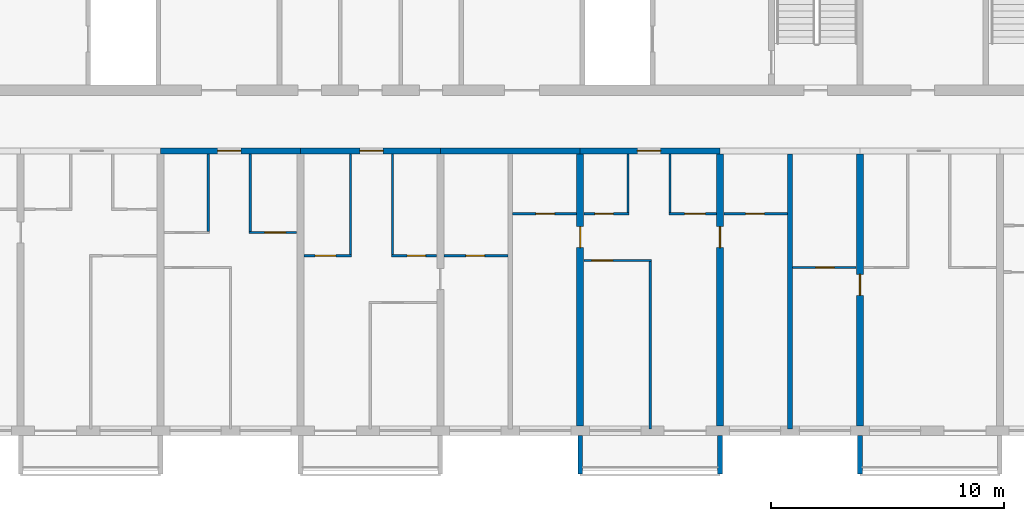
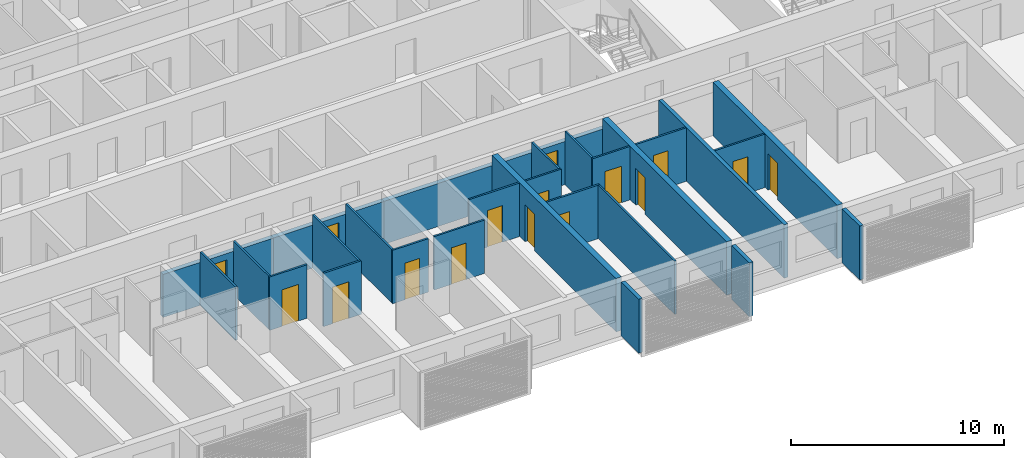
# One storey, part 5 of 33: 28 walls, 16 doors, 16 openings.
"""IFC4 building model written with IfcOpenShell, lengths in metres."""

import ifcopenshell
import ifcopenshell.guid

model = None  # the IFC model being written
_history = None  # IfcOwnerHistory: only IFC2X3 demands one
_inside = {}  # id of a spatial element -> (the spatial element, [elements in it])
_under = {}  # id of a project, library or spatial element -> (it, [spatial elements below it])
_declared = {}  # id of a project -> (the project, [libraries it declares])
_typed = {}  # id of a type object -> (the type object, [elements of that type])
_made_of = {}  # id of a material, layer set ... -> (it, [elements and type objects made of it])


def new_model(schema):
    """Start an empty IFC model of exactly this schema.

    Asked for "IFC4X3", IfcOpenShell would pick the latest addendum, in which some entities
    have other attributes; the version numbers below select the first issue.
    IFC2X3 requires an IfcOwnerHistory on every rooted entity: one is made here for all.
    """
    global model, _history
    if schema == "IFC4X3":
        model = ifcopenshell.file(schema_version=(4, 3, 0, 0))
    else:
        model = ifcopenshell.file(schema=schema)
    _inside.clear()
    _under.clear()
    _declared.clear()
    _typed.clear()
    _made_of.clear()
    _history = None
    if model.schema == "IFC2X3":
        org = make("IfcOrganization", Name="unknown")
        user = make(
            "IfcPersonAndOrganization",
            ThePerson=make("IfcPerson", FamilyName="unknown"),
            TheOrganization=org,
        )
        app = make(
            "IfcApplication",
            ApplicationDeveloper=org,
            Version="unknown",
            ApplicationFullName="unknown",
            ApplicationIdentifier="unknown",
        )
        _history = make(
            "IfcOwnerHistory",
            OwningUser=user,
            OwningApplication=app,
            ChangeAction="ADDED",
            CreationDate=0,
        )
    return model


def make(cls, **values):
    """One entity of the class cls with the attributes given. An attribute that is None is left unset."""
    return model.create_entity(
        cls, **{name: value for name, value in values.items() if value is not None}
    )


def rooted(cls, **values):
    """An entity with a GlobalId (a new one), such as an element, a storey or a relation."""
    return make(cls, GlobalId=ifcopenshell.guid.new(), OwnerHistory=_history, **values)


def si_unit(unit_type, name, prefix=None):
    """IfcSIUnit, for example si_unit("LENGTHUNIT", "METRE", prefix="MILLI")."""
    return make("IfcSIUnit", UnitType=unit_type, Prefix=prefix, Name=name)


def assignment(units):
    """IfcUnitAssignment: the units of a project."""
    return None if units is None else make("IfcUnitAssignment", Units=units)


def point(xyz):
    """IfcCartesianPoint."""
    return None if xyz is None else make("IfcCartesianPoint", Coordinates=xyz)


def direction(xyz):
    """IfcDirection."""
    return None if xyz is None else make("IfcDirection", DirectionRatios=xyz)


def frame(location, z_axis=None, x_axis=None):
    """IfcAxis2Placement3D, a coordinate frame: its origin and axes. An axis left out is left unset."""
    return make(
        "IfcAxis2Placement3D",
        Location=point(location),
        Axis=direction(z_axis),
        RefDirection=direction(x_axis),
    )


def frame_2d(location, x_axis=None):
    """IfcAxis2Placement2D, a coordinate frame in the plane: its origin and x axis."""
    return make(
        "IfcAxis2Placement2D", Location=point(location), RefDirection=direction(x_axis)
    )


def origin():
    """The frame at (0, 0, 0) with its axes left unset."""
    return frame((0.0, 0.0, 0.0))


def place(relative_to, where):
    """IfcLocalPlacement: puts the frame where relative to a parent placement (None: the world)."""
    return make(
        "IfcLocalPlacement", PlacementRelTo=relative_to, RelativePlacement=where
    )


def context(
    kind, dimensions, precision=None, world=None, true_north=None, identifier=None
):
    """IfcGeometricRepresentationContext, for example the 3D "Model" context."""
    return make(
        "IfcGeometricRepresentationContext",
        ContextIdentifier=identifier,
        ContextType=kind,
        CoordinateSpaceDimension=dimensions,
        Precision=precision,
        WorldCoordinateSystem=world,
        TrueNorth=true_north,
    )


def subcontext(parent, identifier, kind, view, scale=None):
    """IfcGeometricRepresentationSubContext, for example "Body" below "Model"."""
    return make(
        "IfcGeometricRepresentationSubContext",
        ContextIdentifier=identifier,
        ContextType=kind,
        ParentContext=parent,
        TargetScale=scale,
        TargetView=view,
    )


def project(units=None, contexts=None):
    """IfcProject with its units and contexts."""
    return rooted(
        "IfcProject",
        Name="project",
        RepresentationContexts=contexts,
        UnitsInContext=assignment(units),
    )


def spatial(cls, under=None, at=None, **own):
    """A site, building, storey or space (cls), placed at a placement, below another one or the project."""
    s = rooted(cls, ObjectPlacement=at, **own)
    if under is not None:
        _under.setdefault(under.id(), (under, []))[1].append(s)
    return s


def polyline(points):
    """IfcPolyline through the points."""
    return make("IfcPolyline", Points=[point(p) for p in points])


def profile(cls, at=None, kind="AREA", **sizes):
    """A parametric profile (cls). Its sizes go by their IFC names, for example OverallWidth=200.0."""
    return make(cls, ProfileType=kind, Position=at, **sizes)


def rectangle(**sizes):
    """IfcRectangleProfileDef."""
    return profile("IfcRectangleProfileDef", **sizes)


def outline(outer, holes=None, kind="AREA"):
    """IfcArbitraryClosedProfileDef: a profile drawn as a closed curve; with holes, ...WithVoids."""
    if holes is None:
        return make("IfcArbitraryClosedProfileDef", ProfileType=kind, OuterCurve=outer)
    return make(
        "IfcArbitraryProfileDefWithVoids",
        ProfileType=kind,
        OuterCurve=outer,
        InnerCurves=holes,
    )


def extrude(swept, where, along, depth):
    """IfcExtrudedAreaSolid: the profile swept, set in the frame where, extruded along a direction by depth."""
    return make(
        "IfcExtrudedAreaSolid",
        SweptArea=swept,
        Position=where,
        ExtrudedDirection=direction(along),
        Depth=depth,
    )


def shape(context_of_items, identifier, shape_type, items):
    """IfcShapeRepresentation: the items that make up one representation, for example the "Body"."""
    return make(
        "IfcShapeRepresentation",
        ContextOfItems=context_of_items,
        RepresentationIdentifier=identifier,
        RepresentationType=shape_type,
        Items=items,
    )


def source(mapping_origin, context_of_items, identifier, shape_type, items):
    """IfcRepresentationMap: a shape defined once, which mapped items show again and again."""
    return make(
        "IfcRepresentationMap",
        MappingOrigin=mapping_origin,
        MappedRepresentation=shape(context_of_items, identifier, shape_type, items),
    )


def transform(
    local_origin,
    x_axis=None,
    y_axis=None,
    z_axis=None,
    scale=None,
    scale2=None,
    scale3=None,
    uniform=True,
):
    """IfcCartesianTransformationOperator3D, or its non-uniform kind. x_axis, y_axis, z_axis: its Axis1, 2, 3."""
    if uniform:
        return make(
            "IfcCartesianTransformationOperator3D",
            Axis1=direction(x_axis),
            Axis2=direction(y_axis),
            LocalOrigin=point(local_origin),
            Scale=scale,
            Axis3=direction(z_axis),
        )
    return make(
        "IfcCartesianTransformationOperator3DnonUniform",
        Axis1=direction(x_axis),
        Axis2=direction(y_axis),
        LocalOrigin=point(local_origin),
        Scale=scale,
        Axis3=direction(z_axis),
        Scale2=scale2,
        Scale3=scale3,
    )


def mapped(mapping_source, mapping_target):
    """IfcMappedItem: shows the shape of a source again, moved by a transform."""
    return make(
        "IfcMappedItem", MappingSource=mapping_source, MappingTarget=mapping_target
    )


def material(Name=None, Category=None):
    """IfcMaterial."""
    return make("IfcMaterial", Name=Name, Category=Category)


def layer(
    of_material, thickness, ventilated=None, Name=None, Category=None, Priority=None
):
    """IfcMaterialLayer: one layer of a wall or slab, of a material (None: an air gap)."""
    return make(
        "IfcMaterialLayer",
        Material=of_material,
        LayerThickness=thickness,
        IsVentilated=ventilated,
        Name=Name,
        Category=Category,
        Priority=Priority,
    )


def layer_set(layers, Name=None):
    """IfcMaterialLayerSet."""
    return make("IfcMaterialLayerSet", MaterialLayers=layers, LayerSetName=Name)


def made_of(thing, what):
    """Note that an element or type object is made of a material, layer set ...; save() writes the relation."""
    if what is not None:
        _made_of.setdefault(what.id(), (what, []))[1].append(thing)
    return thing


def type_object(cls, material=None, **own):
    """A type object (cls), such as IfcWallType, which elements share."""
    return made_of(rooted(cls, **own), material)


def element(
    cls,
    number,
    at=None,
    inside=None,
    cuts=None,
    type_object=None,
    material=None,
    context=None,
    identifier="Body",
    shape_type=None,
    held_by="IfcProductDefinitionShape",
    body=None,
    shapes=None,
    **own,
):
    """One element of the class cls, such as IfcWall. Its Tag is "e" and its number.

    at: its placement. inside: the storey or other place that contains it. cuts: it is an
    opening in that element (IfcRelVoidsElement). A single representation is given by context,
    identifier, shape_type and body (its items); several are given by shapes. held_by: the class
    of the entity that holds the representations. save() writes the other relations.
    """
    e = rooted(cls, Tag="e%d" % number, ObjectPlacement=at, **own)
    if body is not None:
        shapes = [shape(context, identifier, shape_type, body)]
    if shapes is not None:
        e.Representation = make(held_by, Representations=shapes)
    if inside is not None:
        _inside.setdefault(inside.id(), (inside, []))[1].append(e)
    if cuts is not None:
        rooted(
            "IfcRelVoidsElement", RelatingBuildingElement=cuts, RelatedOpeningElement=e
        )
    if type_object is not None:
        _typed.setdefault(type_object.id(), (type_object, []))[1].append(e)
    return made_of(e, material)


def fill(opening, filler):
    """IfcRelFillsElement: the door or window that sits in an opening."""
    return rooted(
        "IfcRelFillsElement",
        RelatingOpeningElement=opening,
        RelatedBuildingElement=filler,
    )


def aggregate(whole, parts):
    """IfcRelAggregates: a whole, such as a stair, and the parts it consists of."""
    return rooted("IfcRelAggregates", RelatingObject=whole, RelatedObjects=parts)


def save(model, path):
    """Write the relations noted so far, then the file.

    IfcRelAggregates (storeys below a building ...), IfcRelContainedInSpatialStructure (elements
    in a storey), IfcRelDefinesByType, IfcRelAssociatesMaterial and IfcRelDeclares: one each for
    every whole, place, type object, material and project.
    """
    for whole, parts in _under.values():
        aggregate(whole, parts)
    for where, things in _inside.values():
        rooted(
            "IfcRelContainedInSpatialStructure",
            RelatedElements=things,
            RelatingStructure=where,
        )
    for kind, things in _typed.values():
        rooted("IfcRelDefinesByType", RelatedObjects=things, RelatingType=kind)
    for what, things in _made_of.values():
        rooted("IfcRelAssociatesMaterial", RelatedObjects=things, RelatingMaterial=what)
    for by, libraries in _declared.values():
        rooted("IfcRelDeclares", RelatingContext=by, RelatedDefinitions=libraries)
    model.write(path)


model = new_model("IFC4")

# Units and contexts
model_context = context("Model", 3, precision=1e-05, world=origin(), true_north=direction((0.0, 1.0)))
body_context = subcontext(model_context, "Body", "Model", "MODEL_VIEW")
ifc_project = project(units=[si_unit("LENGTHUNIT", "METRE"), si_unit("AREAUNIT", "SQUARE_METRE"), si_unit("VOLUMEUNIT", "CUBIC_METRE"), si_unit("PLANEANGLEUNIT", "RADIAN"), si_unit("MASSUNIT", "GRAM", prefix="KILO")], contexts=[model_context])

# Site, building, storey
site_placement = place(None, origin())
site = spatial("IfcSite", under=ifc_project, at=site_placement, CompositionType="ELEMENT")
building_placement = place(site_placement, origin())
building = spatial("IfcBuilding", under=site, at=building_placement, Name="Poui Terraces", CompositionType="ELEMENT")
storey_placement = place(building_placement, frame((0.0, 0.0, 135.60009765625)))
storey = spatial("IfcBuildingStorey", under=building, at=storey_placement, Name="L37", CompositionType="ELEMENT", Elevation=135.60009765625)

# Wall, opening, door
ifc_material_1 = material(Name="Concrete 65 MPa", Category="concrete")
ifc_layer_1 = layer(ifc_material_1, 0.25)
ifc_layer_set_1 = layer_set([ifc_layer_1], Name="Concrete 65 MPa")
wall_type_1 = type_object("IfcWallType", Name="CORRIDOR WALL 250 65MPa", PredefinedType="SHEAR", material=ifc_layer_set_1)
wall_1_placement = place(storey_placement, frame((42.0, 12.0, 0.0), z_axis=(0.0, 0.0, 1.0), x_axis=(1.0, 0.0, 0.0)))
wall_1 = element("IfcWall", 1, at=wall_1_placement, inside=storey, type_object=wall_type_1, Name="CORRIDOR WALL LINE B BAY 6", PredefinedType="SHEAR", context=body_context, shape_type="SweptSolid", body=[
    extrude(rectangle(XDim=6.0, YDim=0.25, at=frame_2d((3.0, 0.0))), origin(), (0.0, 0.0, 1.0), 2.469970703125),
])
opening_1_placement = place(wall_1_placement, frame((2.449951171875, 0.0, 0.0)))
opening_1 = element("IfcOpeningElement", 2, at=opening_1_placement, cuts=wall_1, Name="Opening FD30S", PredefinedType="OPENING", context=body_context, shape_type="SweptSolid", body=[
    extrude(rectangle(XDim=1.0, YDim=2.10009765625, at=frame_2d((0.5, 1.050048828125))), frame((0.0, 0.135009765625, 0.0), z_axis=(0.0, -1.0, 0.0), x_axis=(1.0, 0.0, 0.0)), (0.0, 0.0, 1.0), 0.27001953125),
])
ifc_material_2 = material(Name="Steel fire door", Category="steel")
door_type_1 = type_object("IfcDoorType", Name="FLAT ENTRANCE DOOR 1000 X 2100", OperationType="NOTDEFINED", PredefinedType="DOOR", material=ifc_material_2)
door_1_placement = place(opening_1_placement, frame((1.0, 0.0, 0.0), z_axis=(0.0, 0.0, 1.0), x_axis=(-1.0, 0.0, 0.0)))
door_1 = element("IfcDoor", 3, at=door_1_placement, inside=storey, type_object=door_type_1, Name="FLAT ENTRANCE DOOR 091", OperationType="SINGLE_SWING_RIGHT", OverallHeight=2.10009765625, OverallWidth=1.0, PredefinedType="DOOR", context=body_context, shape_type="SweptSolid", body=[
    extrude(rectangle(XDim=1.0, YDim=2.10009765625, at=frame_2d((0.5, 1.050048828125))), frame((0.0, 0.02490234375, 0.0), z_axis=(0.0, -1.0, 0.0), x_axis=(1.0, 0.0, 0.0)), (0.0, 0.0, 1.0), 0.050048828125),
])
fill(opening_1, door_1)

wall_2_placement = place(storey_placement, frame((48.0, 12.0, 0.0), z_axis=(0.0, 0.0, 1.0), x_axis=(1.0, 0.0, 0.0)))
wall_2 = element("IfcWall", 4, at=wall_2_placement, inside=storey, type_object=wall_type_1, Name="CORRIDOR WALL LINE B BAY 7", PredefinedType="SHEAR", context=body_context, shape_type="SweptSolid", body=[
    extrude(rectangle(XDim=6.0, YDim=0.25, at=frame_2d((3.0, 0.0))), origin(), (0.0, 0.0, 1.0), 2.469970703125),
])
opening_2_placement = place(wall_2_placement, frame((2.550048828125, 0.0, 0.0)))
opening_2 = element("IfcOpeningElement", 5, at=opening_2_placement, cuts=wall_2, Name="Opening FD30S", PredefinedType="OPENING", context=body_context, shape_type="SweptSolid", body=[
    extrude(rectangle(XDim=1.0, YDim=2.10009765625, at=frame_2d((0.5, 1.050048828125))), frame((0.0, 0.135009765625, 0.0), z_axis=(0.0, -1.0, 0.0), x_axis=(1.0, 0.0, 0.0)), (0.0, 0.0, 1.0), 0.27001953125),
])
door_2_placement = place(opening_2_placement, frame((1.0, 0.0, 0.0), z_axis=(0.0, 0.0, 1.0), x_axis=(-1.0, 0.0, 0.0)))
door_2 = element("IfcDoor", 6, at=door_2_placement, inside=storey, type_object=door_type_1, Name="FLAT ENTRANCE DOOR 095", OperationType="SINGLE_SWING_LEFT", OverallHeight=2.10009765625, OverallWidth=1.0, PredefinedType="DOOR", context=body_context, shape_type="SweptSolid", body=[
    extrude(rectangle(XDim=1.0, YDim=2.10009765625, at=frame_2d((0.5, 1.050048828125))), frame((0.0, 0.02490234375, 0.0), z_axis=(0.0, -1.0, 0.0), x_axis=(1.0, 0.0, 0.0)), (0.0, 0.0, 1.0), 0.050048828125),
])
fill(opening_2, door_2)

# Wall
wall_3_placement = place(storey_placement, frame((54.0, 12.0, 0.0), z_axis=(0.0, 0.0, 1.0), x_axis=(1.0, 0.0, 0.0)))
element("IfcWall", 7, at=wall_3_placement, inside=storey, type_object=wall_type_1, Name="CORRIDOR WALL LINE B BAY 8", PredefinedType="SHEAR", context=body_context, shape_type="SweptSolid", body=[
    extrude(rectangle(XDim=6.0, YDim=0.25, at=frame_2d((3.0, 0.0))), origin(), (0.0, 0.0, 1.0), 2.469970703125),
])

# Wall, opening, door
wall_4_placement = place(storey_placement, frame((60.0, 12.0, 0.0), z_axis=(0.0, 0.0, 1.0), x_axis=(1.0, 0.0, 0.0)))
wall_4 = element("IfcWall", 8, at=wall_4_placement, inside=storey, type_object=wall_type_1, Name="CORRIDOR WALL LINE B BAY 9", PredefinedType="SHEAR", context=body_context, shape_type="SweptSolid", body=[
    extrude(rectangle(XDim=6.0, YDim=0.25, at=frame_2d((3.0, 0.0))), origin(), (0.0, 0.0, 1.0), 2.469970703125),
])
opening_3_placement = place(wall_4_placement, frame((2.449951171875, 0.0, 0.0)))
opening_3 = element("IfcOpeningElement", 9, at=opening_3_placement, cuts=wall_4, Name="Opening FD30S", PredefinedType="OPENING", context=body_context, shape_type="SweptSolid", body=[
    extrude(rectangle(XDim=1.0, YDim=2.10009765625, at=frame_2d((0.5, 1.050048828125))), frame((0.0, 0.135009765625, 0.0), z_axis=(0.0, -1.0, 0.0), x_axis=(1.0, 0.0, 0.0)), (0.0, 0.0, 1.0), 0.27001953125),
])
door_3_placement = place(opening_3_placement, frame((1.0, 0.0, 0.0), z_axis=(0.0, 0.0, 1.0), x_axis=(-1.0, 0.0, 0.0)))
door_3 = element("IfcDoor", 10, at=door_3_placement, inside=storey, type_object=door_type_1, Name="FLAT ENTRANCE DOOR 104", OperationType="SINGLE_SWING_RIGHT", OverallHeight=2.10009765625, OverallWidth=1.0, PredefinedType="DOOR", context=body_context, shape_type="SweptSolid", body=[
    extrude(rectangle(XDim=1.0, YDim=2.10009765625, at=frame_2d((0.5, 1.050048828125))), frame((0.0, 0.02490234375, 0.0), z_axis=(0.0, -1.0, 0.0), x_axis=(1.0, 0.0, 0.0)), (0.0, 0.0, 1.0), 0.050048828125),
])
fill(opening_3, door_3)

ifc_layer_2 = layer(ifc_material_1, 0.300048828125)
ifc_layer_set_2 = layer_set([ifc_layer_2], Name="Concrete 65 MPa")
wall_type_2 = type_object("IfcWallType", Name="CROSS WALL 300 65MPa", PredefinedType="SHEAR", material=ifc_layer_set_2)
wall_5_placement = place(storey_placement, frame((60.0, 0.199951171875, 0.0), z_axis=(0.0, 0.0, 1.0), x_axis=(0.0, 1.0, 0.0)))
wall_5 = element("IfcWall", 11, at=wall_5_placement, inside=storey, type_object=wall_type_2, Name="CROSS WALL LINE 11 SOUTH", PredefinedType="SHEAR", context=body_context, shape_type="SweptSolid", body=[
    extrude(rectangle(XDim=11.675048828125, YDim=0.300048828125, at=frame_2d((5.83740234375, 0.0))), origin(), (0.0, 0.0, 1.0), 3.06982421875),
])
opening_4_placement = place(wall_5_placement, frame((7.64990234375, 0.0, 0.0)))
opening_4 = element("IfcOpeningElement", 12, at=opening_4_placement, cuts=wall_5, Name="Opening D90", PredefinedType="OPENING", context=body_context, shape_type="SweptSolid", body=[
    extrude(rectangle(XDim=0.89990234375, YDim=2.10009765625, at=frame_2d((0.449951171875, 1.050048828125))), frame((0.0, 0.16015625, 0.0), z_axis=(0.0, -1.0, 0.0), x_axis=(1.0, 0.0, 0.0)), (0.0, 0.0, 1.0), 0.320068359375),
])
ifc_material_3 = material(Name="Solid core timber door", Category="wood")
door_type_2 = type_object("IfcDoorType", Name="INTERNAL DOOR 900 X 2100", OperationType="NOTDEFINED", PredefinedType="DOOR", material=ifc_material_3)
door_4_placement = place(opening_4_placement, origin())
door_4 = element("IfcDoor", 13, at=door_4_placement, inside=storey, type_object=door_type_2, Name="INTERNAL DOOR 101", OperationType="SINGLE_SWING_RIGHT", OverallHeight=2.10009765625, OverallWidth=0.89990234375, PredefinedType="DOOR", context=body_context, shape_type="SweptSolid", body=[
    extrude(rectangle(XDim=0.89990234375, YDim=2.10009765625, at=frame_2d((0.449951171875, 1.050048828125))), frame((0.0, 0.02490234375, 0.0), z_axis=(0.0, -1.0, 0.0), x_axis=(1.0, 0.0, 0.0)), (0.0, 0.0, 1.0), 0.050048828125),
])
fill(opening_4, door_4)

wall_6_placement = place(storey_placement, frame((66.0, 0.199951171875, 0.0), z_axis=(0.0, 0.0, 1.0), x_axis=(0.0, 1.0, 0.0)))
wall_6 = element("IfcWall", 14, at=wall_6_placement, inside=storey, type_object=wall_type_2, Name="CROSS WALL LINE 12 SOUTH", PredefinedType="SHEAR", context=body_context, shape_type="SweptSolid", body=[
    extrude(rectangle(XDim=11.675048828125, YDim=0.300048828125, at=frame_2d((5.83740234375, 0.0))), origin(), (0.0, 0.0, 1.0), 3.06982421875),
])
opening_5_placement = place(wall_6_placement, frame((7.64990234375, 0.0, 0.0)))
opening_5 = element("IfcOpeningElement", 15, at=opening_5_placement, cuts=wall_6, Name="Opening D90", PredefinedType="OPENING", context=body_context, shape_type="SweptSolid", body=[
    extrude(rectangle(XDim=0.89990234375, YDim=2.10009765625, at=frame_2d((0.449951171875, 1.050048828125))), frame((0.0, 0.16015625, 0.0), z_axis=(0.0, -1.0, 0.0), x_axis=(1.0, 0.0, 0.0)), (0.0, 0.0, 1.0), 0.320068359375),
])
door_5_placement = place(opening_5_placement, frame((0.89990234375, 0.0, 0.0), z_axis=(0.0, 0.0, 1.0), x_axis=(-1.0, 0.0, 0.0)))
door_5 = element("IfcDoor", 16, at=door_5_placement, inside=storey, type_object=door_type_2, Name="INTERNAL DOOR 106", OperationType="SINGLE_SWING_LEFT", OverallHeight=2.10009765625, OverallWidth=0.89990234375, PredefinedType="DOOR", context=body_context, shape_type="SweptSolid", body=[
    extrude(rectangle(XDim=0.89990234375, YDim=2.10009765625, at=frame_2d((0.449951171875, 1.050048828125))), frame((0.0, 0.02490234375, 0.0), z_axis=(0.0, -1.0, 0.0), x_axis=(1.0, 0.0, 0.0)), (0.0, 0.0, 1.0), 0.050048828125),
])
fill(opening_5, door_5)

wall_7_placement = place(storey_placement, frame((72.0, 0.199951171875, 0.0), z_axis=(0.0, 0.0, 1.0), x_axis=(0.0, 1.0, 0.0)))
wall_7 = element("IfcWall", 17, at=wall_7_placement, inside=storey, type_object=wall_type_2, Name="CROSS WALL LINE 13 SOUTH", PredefinedType="SHEAR", context=body_context, shape_type="SweptSolid", body=[
    extrude(rectangle(XDim=11.675048828125, YDim=0.300048828125, at=frame_2d((5.83740234375, 0.0))), origin(), (0.0, 0.0, 1.0), 3.06982421875),
])
opening_6_placement = place(wall_7_placement, frame((5.60009765625, 0.0, 0.0)))
opening_6 = element("IfcOpeningElement", 18, at=opening_6_placement, cuts=wall_7, Name="Opening D90", PredefinedType="OPENING", context=body_context, shape_type="SweptSolid", body=[
    extrude(rectangle(XDim=0.89990234375, YDim=2.10009765625, at=frame_2d((0.449951171875, 1.050048828125))), frame((0.0, 0.16015625, 0.0), z_axis=(0.0, -1.0, 0.0), x_axis=(1.0, 0.0, 0.0)), (0.0, 0.0, 1.0), 0.320068359375),
])
door_6_placement = place(opening_6_placement, origin())
door_6 = element("IfcDoor", 19, at=door_6_placement, inside=storey, type_object=door_type_2, Name="INTERNAL DOOR 108", OperationType="SINGLE_SWING_RIGHT", OverallHeight=2.10009765625, OverallWidth=0.89990234375, PredefinedType="DOOR", context=body_context, shape_type="SweptSolid", body=[
    extrude(rectangle(XDim=0.89990234375, YDim=2.10009765625, at=frame_2d((0.449951171875, 1.050048828125))), frame((0.0, 0.02490234375, 0.0), z_axis=(0.0, -1.0, 0.0), x_axis=(1.0, 0.0, 0.0)), (0.0, 0.0, 1.0), 0.050048828125),
])
fill(opening_6, door_6)

ifc_material_4 = material(Name="Plasterboard partition")
ifc_layer_3 = layer(ifc_material_4, 0.10009765625)
ifc_layer_set_3 = layer_set([ifc_layer_3], Name="Plasterboard partition")
wall_type_3 = type_object("IfcWallType", Name="FLAT PARTITION 100", PredefinedType="PARTITIONING", material=ifc_layer_set_3)
wall_8_placement = place(storey_placement, frame((69.10009765625, 7.0, 0.0), z_axis=(0.0, 0.0, 1.0), x_axis=(1.0, 0.0, 0.0)))
wall_8 = element("IfcWall", 20, at=wall_8_placement, inside=storey, type_object=wall_type_3, Name="FLAT PARTITION 100", PredefinedType="PARTITIONING", context=body_context, shape_type="SweptSolid", body=[
    extrude(rectangle(XDim=2.739990234375, YDim=0.10009765625, at=frame_2d((1.3701171875, 0.0))), origin(), (0.0, 0.0, 1.0), 3.06982421875),
])
opening_7_placement = place(wall_8_placement, frame((1.0, 0.0, 0.0)))
opening_7 = element("IfcOpeningElement", 21, at=opening_7_placement, cuts=wall_8, Name="Opening D80", PredefinedType="OPENING", context=body_context, shape_type="SweptSolid", body=[
    extrude(rectangle(XDim=0.800048828125, YDim=2.10009765625, at=frame_2d((0.39990234375, 1.050048828125))), frame((0.0, 0.06005859375, 0.0), z_axis=(0.0, -1.0, 0.0), x_axis=(1.0, 0.0, 0.0)), (0.0, 0.0, 1.0), 0.1201171875),
])
door_type_3 = type_object("IfcDoorType", Name="BATHROOM, LAUNDRY AND STORE DOOR 800 X 2100", OperationType="NOTDEFINED", PredefinedType="DOOR", material=ifc_material_3)
door_7_placement = place(opening_7_placement, origin())
door_7 = element("IfcDoor", 22, at=door_7_placement, inside=storey, type_object=door_type_3, Name="BATHROOM, LAUNDRY AND STORE DOOR 107", OperationType="SINGLE_SWING_RIGHT", OverallHeight=2.10009765625, OverallWidth=0.800048828125, PredefinedType="DOOR", context=body_context, shape_type="SweptSolid", body=[
    extrude(rectangle(XDim=0.800048828125, YDim=2.10009765625, at=frame_2d((0.39990234375, 1.050048828125))), frame((0.0, 0.02490234375, 0.0), z_axis=(0.0, -1.0, 0.0), x_axis=(1.0, 0.0, 0.0)), (0.0, 0.0, 1.0), 0.050048828125),
])
fill(opening_7, door_7)

wall_9_placement = place(storey_placement, frame((60.159912109375, 7.300048828125, 0.0), z_axis=(0.0, 0.0, 1.0), x_axis=(1.0, 0.0, 0.0)))
wall_9 = element("IfcWall", 23, at=wall_9_placement, inside=storey, type_object=wall_type_3, Name="FLAT PARTITION 100", PredefinedType="PARTITIONING", context=body_context, shape_type="SweptSolid", body=[
    extrude(rectangle(XDim=2.89013671875, YDim=0.10009765625, at=frame_2d((1.445068359375, 0.0))), origin(), (0.0, 0.0, 1.0), 3.06982421875),
])
opening_8_placement = place(wall_9_placement, frame((0.340087890625, 0.0, 0.0)))
opening_8 = element("IfcOpeningElement", 24, at=opening_8_placement, cuts=wall_9, Name="Opening D90", PredefinedType="OPENING", context=body_context, shape_type="SweptSolid", body=[
    extrude(rectangle(XDim=0.89990234375, YDim=2.10009765625, at=frame_2d((0.449951171875, 1.050048828125))), frame((0.0, 0.06005859375, 0.0), z_axis=(0.0, -1.0, 0.0), x_axis=(1.0, 0.0, 0.0)), (0.0, 0.0, 1.0), 0.1201171875),
])
door_8_placement = place(opening_8_placement, origin())
door_8 = element("IfcDoor", 25, at=door_8_placement, inside=storey, type_object=door_type_2, Name="INTERNAL DOOR 102", OperationType="SINGLE_SWING_RIGHT", OverallHeight=2.10009765625, OverallWidth=0.89990234375, PredefinedType="DOOR", context=body_context, shape_type="SweptSolid", body=[
    extrude(rectangle(XDim=0.89990234375, YDim=2.10009765625, at=frame_2d((0.449951171875, 1.050048828125))), frame((0.0, 0.02490234375, 0.0), z_axis=(0.0, -1.0, 0.0), x_axis=(1.0, 0.0, 0.0)), (0.0, 0.0, 1.0), 0.050048828125),
])
fill(opening_8, door_8)

wall_10_placement = place(storey_placement, frame((48.159912109375, 7.5, 0.0), z_axis=(0.0, 0.0, 1.0), x_axis=(1.0, 0.0, 0.0)))
wall_10 = element("IfcWall", 26, at=wall_10_placement, inside=storey, type_object=wall_type_3, Name="FLAT PARTITION 100", PredefinedType="PARTITIONING", context=body_context, shape_type="SweptSolid", body=[
    extrude(rectangle(XDim=2.0400390625, YDim=0.10009765625, at=frame_2d((1.02001953125, 0.0))), origin(), (0.0, 0.0, 1.0), 3.06982421875),
])
opening_9_placement = place(wall_10_placement, frame((0.465087890625, 0.0, 0.0)))
opening_9 = element("IfcOpeningElement", 27, at=opening_9_placement, cuts=wall_10, Name="Opening D90", PredefinedType="OPENING", context=body_context, shape_type="SweptSolid", body=[
    extrude(rectangle(XDim=0.89990234375, YDim=2.10009765625, at=frame_2d((0.449951171875, 1.050048828125))), frame((0.0, 0.06005859375, 0.0), z_axis=(0.0, -1.0, 0.0), x_axis=(1.0, 0.0, 0.0)), (0.0, 0.0, 1.0), 0.1201171875),
])
door_9_placement = place(opening_9_placement, origin())
door_9 = element("IfcDoor", 28, at=door_9_placement, inside=storey, type_object=door_type_2, Name="INTERNAL DOOR 094", OperationType="SINGLE_SWING_RIGHT", OverallHeight=2.10009765625, OverallWidth=0.89990234375, PredefinedType="DOOR", context=body_context, shape_type="SweptSolid", body=[
    extrude(rectangle(XDim=0.89990234375, YDim=2.10009765625, at=frame_2d((0.449951171875, 1.050048828125))), frame((0.0, 0.02490234375, 0.0), z_axis=(0.0, -1.0, 0.0), x_axis=(1.0, 0.0, 0.0)), (0.0, 0.0, 1.0), 0.050048828125),
])
fill(opening_9, door_9)

wall_11_placement = place(storey_placement, frame((51.89990234375, 7.5, 0.0), z_axis=(0.0, 0.0, 1.0), x_axis=(1.0, 0.0, 0.0)))
wall_11 = element("IfcWall", 29, at=wall_11_placement, inside=storey, type_object=wall_type_3, Name="FLAT PARTITION 100", PredefinedType="PARTITIONING", context=body_context, shape_type="SweptSolid", body=[
    extrude(rectangle(XDim=1.940185546875, YDim=0.10009765625, at=frame_2d((0.97021484375, 0.0))), origin(), (0.0, 0.0, 1.0), 3.06982421875),
])
opening_10_placement = place(wall_11_placement, frame((0.675048828125, 0.0, 0.0)))
opening_10 = element("IfcOpeningElement", 30, at=opening_10_placement, cuts=wall_11, Name="Opening D80", PredefinedType="OPENING", context=body_context, shape_type="SweptSolid", body=[
    extrude(rectangle(XDim=0.800048828125, YDim=2.10009765625, at=frame_2d((0.39990234375, 1.050048828125))), frame((0.0, 0.06005859375, 0.0), z_axis=(0.0, -1.0, 0.0), x_axis=(1.0, 0.0, 0.0)), (0.0, 0.0, 1.0), 0.1201171875),
])
door_10_placement = place(opening_10_placement, origin())
door_10 = element("IfcDoor", 31, at=door_10_placement, inside=storey, type_object=door_type_3, Name="BATHROOM, LAUNDRY AND STORE DOOR 097", OperationType="SINGLE_SWING_LEFT", OverallHeight=2.10009765625, OverallWidth=0.800048828125, PredefinedType="DOOR", context=body_context, shape_type="SweptSolid", body=[
    extrude(rectangle(XDim=0.800048828125, YDim=2.10009765625, at=frame_2d((0.39990234375, 1.050048828125))), frame((0.0, 0.02490234375, 0.0), z_axis=(0.0, -1.0, 0.0), x_axis=(1.0, 0.0, 0.0)), (0.0, 0.0, 1.0), 0.050048828125),
])
fill(opening_10, door_10)

wall_12_placement = place(storey_placement, frame((54.159912109375, 7.5, 0.0), z_axis=(0.0, 0.0, 1.0), x_axis=(1.0, 0.0, 0.0)))
wall_12 = element("IfcWall", 32, at=wall_12_placement, inside=storey, type_object=wall_type_3, Name="FLAT PARTITION 100", PredefinedType="PARTITIONING", context=body_context, shape_type="SweptSolid", body=[
    extrude(rectangle(XDim=2.739990234375, YDim=0.10009765625, at=frame_2d((1.3701171875, 0.0))), origin(), (0.0, 0.0, 1.0), 3.06982421875),
])
opening_11_placement = place(wall_12_placement, frame((0.93994140625, 0.0, 0.0)))
opening_11 = element("IfcOpeningElement", 33, at=opening_11_placement, cuts=wall_12, Name="Opening D80", PredefinedType="OPENING", context=body_context, shape_type="SweptSolid", body=[
    extrude(rectangle(XDim=0.800048828125, YDim=2.10009765625, at=frame_2d((0.39990234375, 1.050048828125))), frame((0.0, 0.06005859375, 0.0), z_axis=(0.0, -1.0, 0.0), x_axis=(1.0, 0.0, 0.0)), (0.0, 0.0, 1.0), 0.1201171875),
])
door_11_placement = place(opening_11_placement, origin())
door_11 = element("IfcDoor", 34, at=door_11_placement, inside=storey, type_object=door_type_3, Name="BATHROOM, LAUNDRY AND STORE DOOR 093", OperationType="SINGLE_SWING_RIGHT", OverallHeight=2.10009765625, OverallWidth=0.800048828125, PredefinedType="DOOR", context=body_context, shape_type="SweptSolid", body=[
    extrude(rectangle(XDim=0.800048828125, YDim=2.10009765625, at=frame_2d((0.39990234375, 1.050048828125))), frame((0.0, 0.02490234375, 0.0), z_axis=(0.0, -1.0, 0.0), x_axis=(1.0, 0.0, 0.0)), (0.0, 0.0, 1.0), 0.050048828125),
])
fill(opening_11, door_11)

wall_13_placement = place(storey_placement, frame((45.800048828125, 8.5, 0.0), z_axis=(0.0, 0.0, 1.0), x_axis=(1.0, 0.0, 0.0)))
wall_13 = element("IfcWall", 35, at=wall_13_placement, inside=storey, type_object=wall_type_3, Name="FLAT PARTITION 100", PredefinedType="PARTITIONING", context=body_context, shape_type="SweptSolid", body=[
    extrude(rectangle(XDim=2.0400390625, YDim=0.10009765625, at=frame_2d((1.02001953125, 0.0))), origin(), (0.0, 0.0, 1.0), 3.06982421875),
])
opening_12_placement = place(wall_13_placement, frame((0.675048828125, 0.0, 0.0)))
opening_12 = element("IfcOpeningElement", 36, at=opening_12_placement, cuts=wall_13, Name="Opening D90", PredefinedType="OPENING", context=body_context, shape_type="SweptSolid", body=[
    extrude(rectangle(XDim=0.89990234375, YDim=2.10009765625, at=frame_2d((0.449951171875, 1.050048828125))), frame((0.0, 0.06005859375, 0.0), z_axis=(0.0, -1.0, 0.0), x_axis=(1.0, 0.0, 0.0)), (0.0, 0.0, 1.0), 0.1201171875),
])
door_12_placement = place(opening_12_placement, origin())
door_12 = element("IfcDoor", 37, at=door_12_placement, inside=storey, type_object=door_type_2, Name="INTERNAL DOOR 092", OperationType="SINGLE_SWING_RIGHT", OverallHeight=2.10009765625, OverallWidth=0.89990234375, PredefinedType="DOOR", context=body_context, shape_type="SweptSolid", body=[
    extrude(rectangle(XDim=0.89990234375, YDim=2.10009765625, at=frame_2d((0.449951171875, 1.050048828125))), frame((0.0, 0.02490234375, 0.0), z_axis=(0.0, -1.0, 0.0), x_axis=(1.0, 0.0, 0.0)), (0.0, 0.0, 1.0), 0.050048828125),
])
fill(opening_12, door_12)

wall_14_placement = place(storey_placement, frame((57.10009765625, 9.300048828125, 0.0), z_axis=(0.0, 0.0, 1.0), x_axis=(1.0, 0.0, 0.0)))
wall_14 = element("IfcWall", 38, at=wall_14_placement, inside=storey, type_object=wall_type_3, Name="FLAT PARTITION 100", PredefinedType="PARTITIONING", context=body_context, shape_type="SweptSolid", body=[
    extrude(rectangle(XDim=2.739990234375, YDim=0.10009765625, at=frame_2d((1.3701171875, 0.0))), origin(), (0.0, 0.0, 1.0), 3.06982421875),
])
opening_13_placement = place(wall_14_placement, frame((1.0, 0.0, 0.0)))
opening_13 = element("IfcOpeningElement", 39, at=opening_13_placement, cuts=wall_14, Name="Opening D80", PredefinedType="OPENING", context=body_context, shape_type="SweptSolid", body=[
    extrude(rectangle(XDim=0.800048828125, YDim=2.10009765625, at=frame_2d((0.39990234375, 1.050048828125))), frame((0.0, 0.06005859375, 0.0), z_axis=(0.0, -1.0, 0.0), x_axis=(1.0, 0.0, 0.0)), (0.0, 0.0, 1.0), 0.1201171875),
])
door_13_placement = place(opening_13_placement, origin())
door_13 = element("IfcDoor", 40, at=door_13_placement, inside=storey, type_object=door_type_3, Name="BATHROOM, LAUNDRY AND STORE DOOR 099", OperationType="SINGLE_SWING_LEFT", OverallHeight=2.10009765625, OverallWidth=0.800048828125, PredefinedType="DOOR", context=body_context, shape_type="SweptSolid", body=[
    extrude(rectangle(XDim=0.800048828125, YDim=2.10009765625, at=frame_2d((0.39990234375, 1.050048828125))), frame((0.0, 0.02490234375, 0.0), z_axis=(0.0, -1.0, 0.0), x_axis=(1.0, 0.0, 0.0)), (0.0, 0.0, 1.0), 0.050048828125),
])
fill(opening_13, door_13)

wall_15_placement = place(storey_placement, frame((60.159912109375, 9.300048828125, 0.0), z_axis=(0.0, 0.0, 1.0), x_axis=(1.0, 0.0, 0.0)))
wall_15 = element("IfcWall", 41, at=wall_15_placement, inside=storey, type_object=wall_type_3, Name="FLAT PARTITION 100", PredefinedType="PARTITIONING", context=body_context, shape_type="SweptSolid", body=[
    extrude(rectangle(XDim=1.940185546875, YDim=0.10009765625, at=frame_2d((0.97021484375, 0.0))), origin(), (0.0, 0.0, 1.0), 3.06982421875),
])
opening_14_placement = place(wall_15_placement, frame((0.465087890625, 0.0, 0.0)))
opening_14 = element("IfcOpeningElement", 42, at=opening_14_placement, cuts=wall_15, Name="Opening D80", PredefinedType="OPENING", context=body_context, shape_type="SweptSolid", body=[
    extrude(rectangle(XDim=0.800048828125, YDim=2.10009765625, at=frame_2d((0.39990234375, 1.050048828125))), frame((0.0, 0.06005859375, 0.0), z_axis=(0.0, -1.0, 0.0), x_axis=(1.0, 0.0, 0.0)), (0.0, 0.0, 1.0), 0.1201171875),
])
door_14_placement = place(opening_14_placement, origin())
door_14 = element("IfcDoor", 43, at=door_14_placement, inside=storey, type_object=door_type_3, Name="BATHROOM, LAUNDRY AND STORE DOOR 103", OperationType="SINGLE_SWING_LEFT", OverallHeight=2.10009765625, OverallWidth=0.800048828125, PredefinedType="DOOR", context=body_context, shape_type="SweptSolid", body=[
    extrude(rectangle(XDim=0.800048828125, YDim=2.10009765625, at=frame_2d((0.39990234375, 1.050048828125))), frame((0.0, 0.02490234375, 0.0), z_axis=(0.0, -1.0, 0.0), x_axis=(1.0, 0.0, 0.0)), (0.0, 0.0, 1.0), 0.050048828125),
])
fill(opening_14, door_14)

wall_16_placement = place(storey_placement, frame((63.800048828125, 9.300048828125, 0.0), z_axis=(0.0, 0.0, 1.0), x_axis=(1.0, 0.0, 0.0)))
wall_16 = element("IfcWall", 44, at=wall_16_placement, inside=storey, type_object=wall_type_3, Name="FLAT PARTITION 100", PredefinedType="PARTITIONING", context=body_context, shape_type="SweptSolid", body=[
    extrude(rectangle(XDim=2.0400390625, YDim=0.10009765625, at=frame_2d((1.02001953125, 0.0))), origin(), (0.0, 0.0, 1.0), 3.06982421875),
])
opening_15_placement = place(wall_16_placement, frame((0.675048828125, 0.0, 0.0)))
opening_15 = element("IfcOpeningElement", 45, at=opening_15_placement, cuts=wall_16, Name="Opening D90", PredefinedType="OPENING", context=body_context, shape_type="SweptSolid", body=[
    extrude(rectangle(XDim=0.89990234375, YDim=2.10009765625, at=frame_2d((0.449951171875, 1.050048828125))), frame((0.0, 0.06005859375, 0.0), z_axis=(0.0, -1.0, 0.0), x_axis=(1.0, 0.0, 0.0)), (0.0, 0.0, 1.0), 0.1201171875),
])
door_15_placement = place(opening_15_placement, origin())
door_15 = element("IfcDoor", 46, at=door_15_placement, inside=storey, type_object=door_type_2, Name="INTERNAL DOOR 105", OperationType="SINGLE_SWING_RIGHT", OverallHeight=2.10009765625, OverallWidth=0.89990234375, PredefinedType="DOOR", context=body_context, shape_type="SweptSolid", body=[
    extrude(rectangle(XDim=0.89990234375, YDim=2.10009765625, at=frame_2d((0.449951171875, 1.050048828125))), frame((0.0, 0.02490234375, 0.0), z_axis=(0.0, -1.0, 0.0), x_axis=(1.0, 0.0, 0.0)), (0.0, 0.0, 1.0), 0.050048828125),
])
fill(opening_15, door_15)

wall_17_placement = place(storey_placement, frame((66.159912109375, 9.300048828125, 0.0), z_axis=(0.0, 0.0, 1.0), x_axis=(1.0, 0.0, 0.0)))
wall_17 = element("IfcWall", 47, at=wall_17_placement, inside=storey, type_object=wall_type_3, Name="FLAT PARTITION 100", PredefinedType="PARTITIONING", context=body_context, shape_type="SweptSolid", body=[
    extrude(rectangle(XDim=2.739990234375, YDim=0.10009765625, at=frame_2d((1.3701171875, 0.0))), origin(), (0.0, 0.0, 1.0), 3.06982421875),
])
opening_16_placement = place(wall_17_placement, frame((0.93994140625, 0.0, 0.0)))
opening_16 = element("IfcOpeningElement", 48, at=opening_16_placement, cuts=wall_17, Name="Opening D80", PredefinedType="OPENING", context=body_context, shape_type="SweptSolid", body=[
    extrude(rectangle(XDim=0.800048828125, YDim=2.10009765625, at=frame_2d((0.39990234375, 1.050048828125))), frame((0.0, 0.06005859375, 0.0), z_axis=(0.0, -1.0, 0.0), x_axis=(1.0, 0.0, 0.0)), (0.0, 0.0, 1.0), 0.1201171875),
])
door_16_placement = place(opening_16_placement, origin())
door_16 = element("IfcDoor", 49, at=door_16_placement, inside=storey, type_object=door_type_3, Name="BATHROOM, LAUNDRY AND STORE DOOR 100", OperationType="SINGLE_SWING_LEFT", OverallHeight=2.10009765625, OverallWidth=0.800048828125, PredefinedType="DOOR", context=body_context, shape_type="SweptSolid", body=[
    extrude(rectangle(XDim=0.800048828125, YDim=2.10009765625, at=frame_2d((0.39990234375, 1.050048828125))), frame((0.0, 0.02490234375, 0.0), z_axis=(0.0, -1.0, 0.0), x_axis=(1.0, 0.0, 0.0)), (0.0, 0.0, 1.0), 0.050048828125),
])
fill(opening_16, door_16)

# Walls
for number, where, z_axis, x_axis, name in (
    (50, (44.050048828125, 8.550048828125, 0.0), (0.0, 0.0, 1.0), (0.0, 1.0, 0.0), "FLAT PARTITION 100"),
    (51, (45.85009765625, 8.550048828125, 0.0), (0.0, 0.0, 1.0), (0.0, 1.0, 0.0), "FLAT PARTITION 100"),
):
    element("IfcWall", number, at=place(storey_placement, frame(where, z_axis=z_axis, x_axis=x_axis)), inside=storey, type_object=wall_type_3, Name=name, PredefinedType="PARTITIONING", context=body_context, shape_type="SweptSolid", body=[
        extrude(rectangle(XDim=3.31494140625, YDim=0.10009765625, at=frame_2d((1.657470703125, 0.0))), origin(), (0.0, 0.0, 1.0), 3.06982421875),
    ])
for number, where, z_axis, x_axis, name in (
    (52, (50.14990234375, 7.550048828125, 0.0), (0.0, 0.0, 1.0), (0.0, 1.0, 0.0), "FLAT PARTITION 100"),
    (53, (51.949951171875, 7.550048828125, 0.0), (0.0, 0.0, 1.0), (0.0, 1.0, 0.0), "FLAT PARTITION 100"),
):
    element("IfcWall", number, at=place(storey_placement, frame(where, z_axis=z_axis, x_axis=x_axis)), inside=storey, type_object=wall_type_3, Name=name, PredefinedType="PARTITIONING", context=body_context, shape_type="SweptSolid", body=[
        extrude(rectangle(XDim=4.31494140625, YDim=0.10009765625, at=frame_2d((2.157470703125, 0.0))), origin(), (0.0, 0.0, 1.0), 3.06982421875),
    ])
wall_18_placement = place(storey_placement, frame((62.050048828125, 9.35009765625, 0.0), z_axis=(0.0, 0.0, 1.0), x_axis=(0.0, 1.0, 0.0)))
element("IfcWall", 54, at=wall_18_placement, inside=storey, type_object=wall_type_3, Name="FLAT PARTITION 100", PredefinedType="PARTITIONING", context=body_context, shape_type="SweptSolid", body=[
    extrude(rectangle(XDim=2.514892578125, YDim=0.10009765625, at=frame_2d((1.25732421875, 0.0))), origin(), (0.0, 0.0, 1.0), 3.06982421875),
])
wall_19_placement = place(storey_placement, frame((63.0, 0.06005859375, 0.0), z_axis=(0.0, 0.0, 1.0), x_axis=(0.0, 1.0, 0.0)))
element("IfcWall", 55, at=wall_19_placement, inside=storey, type_object=wall_type_3, Name="FLAT PARTITION 100", PredefinedType="PARTITIONING", context=body_context, shape_type="SweptSolid", body=[
    extrude(rectangle(XDim=7.18994140625, YDim=0.10009765625, at=frame_2d((3.594970703125, 0.0))), origin(), (0.0, 0.0, 1.0), 3.06982421875),
])
wall_20_placement = place(storey_placement, frame((63.85009765625, 9.35009765625, 0.0), z_axis=(0.0, 0.0, 1.0), x_axis=(0.0, 1.0, 0.0)))
element("IfcWall", 56, at=wall_20_placement, inside=storey, type_object=wall_type_3, Name="FLAT PARTITION 100", PredefinedType="PARTITIONING", context=body_context, shape_type="SweptSolid", body=[
    extrude(rectangle(XDim=2.514892578125, YDim=0.10009765625, at=frame_2d((1.25732421875, 0.0))), origin(), (0.0, 0.0, 1.0), 3.06982421875),
])
ifc_material_5 = material(Name="Fire-rated masonry wall", Category="masonry")
ifc_layer_4 = layer(ifc_material_5, 0.199951171875)
ifc_layer_set_4 = layer_set([ifc_layer_4], Name="Fire-rated masonry wall")
wall_type_4 = type_object("IfcWallType", Name="FLAT PARTY WALL 200", PredefinedType="PARTITIONING", material=ifc_layer_set_4)
wall_21_placement = place(storey_placement, frame((69.0, 0.06005859375, 0.0), z_axis=(0.0, 0.0, 1.0), x_axis=(0.0, 1.0, 0.0)))
element("IfcWall", 57, at=wall_21_placement, inside=storey, type_object=wall_type_4, Name="FLAT PARTY WALL 200", PredefinedType="PARTITIONING", context=body_context, shape_type="SweptSolid", body=[
    extrude(rectangle(XDim=11.804931640625, YDim=0.199951171875, at=frame_2d((5.90234375, 0.0))), origin(), (0.0, 0.0, 1.0), 3.06982421875),
])
ifc_material_6 = material(Name="Precast concrete 40 MPa", Category="concrete")
ifc_layer_5 = layer(ifc_material_6, 0.199951171875)
ifc_layer_set_5 = layer_set([ifc_layer_5], Name="Precast concrete 40 MPa")
wall_type_5 = type_object("IfcWallType", Name="REAR FIN 200", PredefinedType="STANDARD", material=ifc_layer_set_5)
shared_shape = source(origin(), body_context, "Body", "SweptSolid", [
    extrude(outline(polyline([(0.0, 0.0), (0.2001953125, 0.0), (0.2001953125, 1.650146484375), (0.0, 1.650146484375), (0.0, 0.0)])), origin(), (0.0, 0.0, 1.0), 3.099853515625),
])
for number, where, name in (
    (58, (59.89990234375, -1.85009765625, 0.0), "REAR FIN"),
    (59, (65.89990234375, -1.85009765625, 0.0), "REAR FIN"),
    (60, (71.89990234375, -1.85009765625, 0.0), "REAR FIN"),
):
    element("IfcWall", number, at=place(storey_placement, frame(where)), inside=storey, type_object=wall_type_5, Name=name, PredefinedType="STANDARD", context=body_context, shape_type="MappedRepresentation", body=[
        mapped(shared_shape, transform((0.0, 0.0, 0.0))),
    ])

save(model, "model.ifc")
